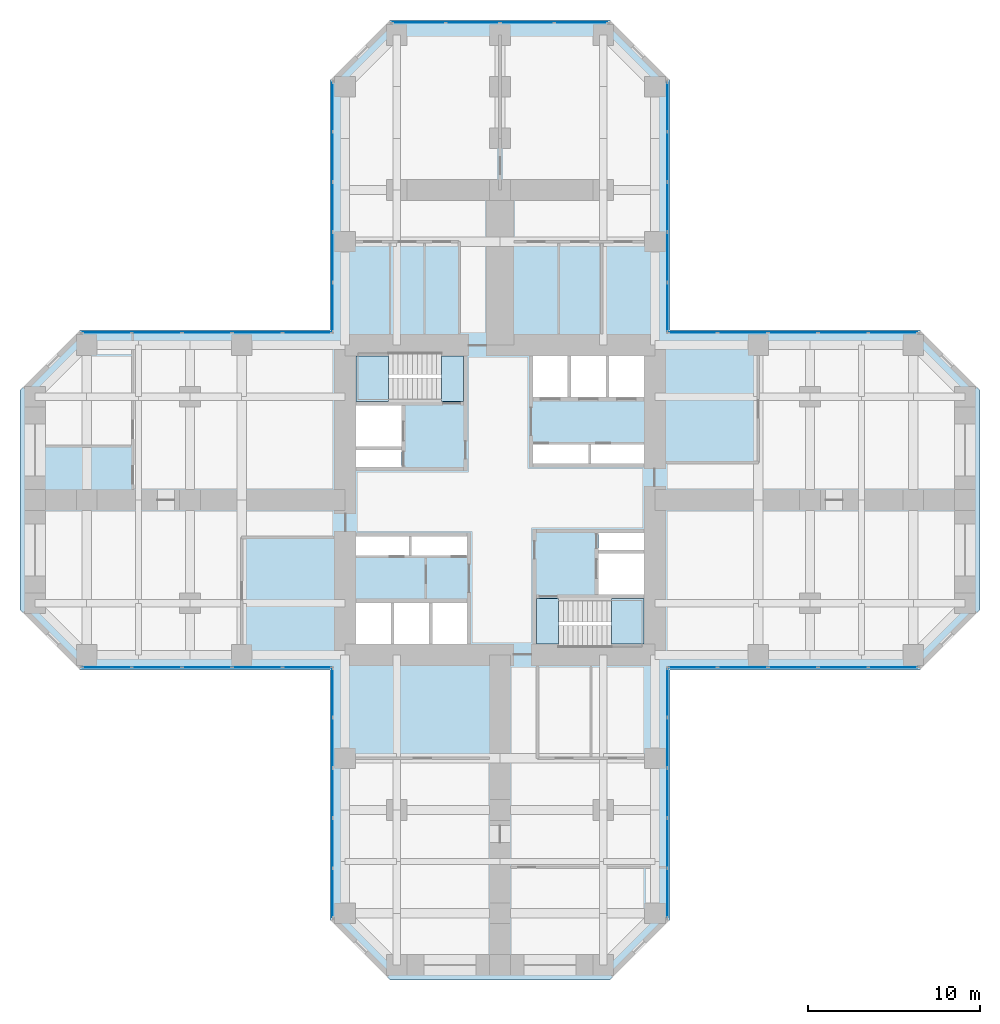
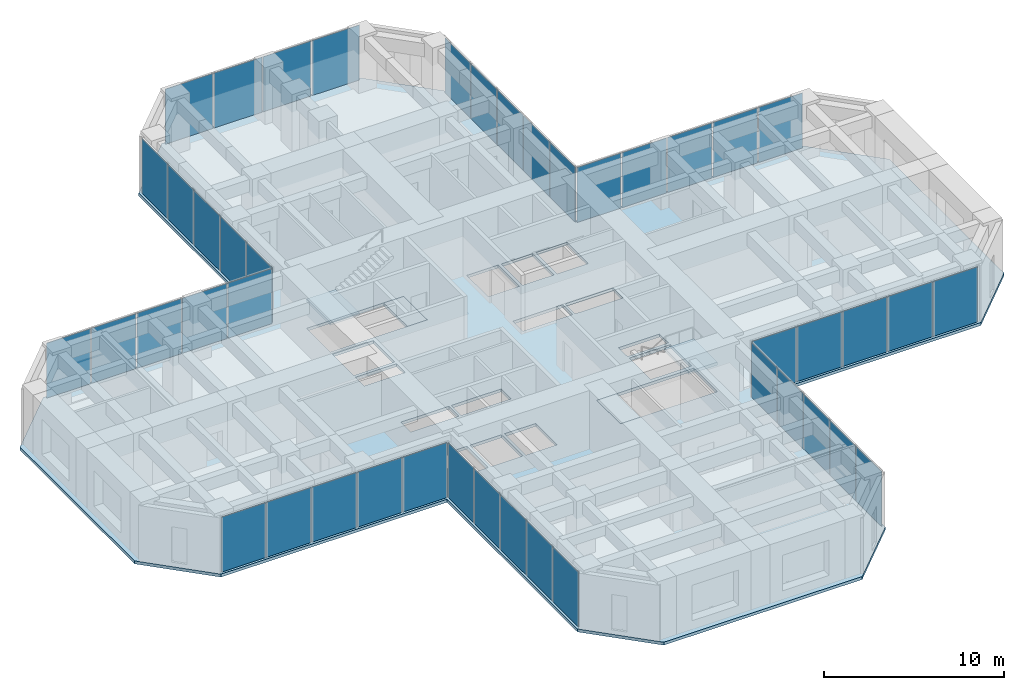
# One storey, part 7 of 12: 44 plates, 5 slabs, 11 elements without a shape of their own.
"""IFC4 building model written with IfcOpenShell, lengths in metres."""

from ifc_helpers import new_model, si_unit, direction, frame, origin, origin_2d, place, context, subcontext, project, spatial, polyline, rectangle, outline, extrude, material, layer, layer_set, type_object, element, aggregate, save


model = new_model("IFC4")

# Units and contexts
model_context = context("Model", 3, precision=1e-05, world=origin(), true_north=direction((0.0, 1.0)))
body_context = subcontext(model_context, "Body", "Model", "MODEL_VIEW")
ifc_project = project(units=[si_unit("LENGTHUNIT", "METRE"), si_unit("AREAUNIT", "SQUARE_METRE"), si_unit("VOLUMEUNIT", "CUBIC_METRE"), si_unit("PLANEANGLEUNIT", "RADIAN"), si_unit("MASSUNIT", "GRAM", prefix="KILO")], contexts=[model_context])

# Site, building, storey
site_placement = place(None, origin())
site = spatial("IfcSite", under=ifc_project, at=site_placement, CompositionType="ELEMENT")
building_placement = place(site_placement, origin())
building = spatial("IfcBuilding", under=site, at=building_placement, Name="Torre Cruceta", CompositionType="ELEMENT")
storey_placement = place(building_placement, frame((0.0, 0.0, 71.5)))
storey = spatial("IfcBuildingStorey", under=building, at=storey_placement, Name="L17", CompositionType="ELEMENT", Elevation=71.5)

# Curtain wall, plate
ifc_material_1 = material(Name="Aluminium unitised curtain wall", Category="aluminium")
curtain_wall_type = type_object("IfcCurtainWallType", Name="CURTAIN WALL CW-A OFFICE LOW RISE", PredefinedType="USERDEFINED", material=ifc_material_1)
curtain_wall_1_placement = place(storey_placement, origin())
curtain_wall_1 = element("IfcCurtainWall", 1, at=curtain_wall_1_placement, inside=storey, type_object=curtain_wall_type, Name="CW-A L17 E side 00", ObjectType="UNITISED", PredefinedType="USERDEFINED")
ifc_material_2 = material(Name="Laminated insulating glass unit, low-iron clear", Category="glass")
ifc_material_3 = material(Name="Laminated insulating glass unit, diagonal frit 50 %", Category="glass")
ifc_layer_1 = layer(ifc_material_3, 0.033935546875)
ifc_layer_set_1 = layer_set([ifc_layer_1], Name="Laminated insulating glass unit, diagonal frit 50 %")
plate_type_1 = type_object("IfcPlateType", Name="CW-A OPERABLE VENT PANEL 34", PredefinedType="CURTAIN_PANEL", material=ifc_layer_set_1)
plate_1_placement = place(storey_placement, frame((17.009033203125, -9.719970703125, 0.010009765625), z_axis=(0.0, 0.0, 1.0), x_axis=(1.0, 0.0, 0.0)))
plate_1 = element("IfcPlate", 2, at=plate_1_placement, type_object=plate_type_1, material=ifc_material_2, Name="CW-A vent 3", PredefinedType="CURTAIN_PANEL", context=body_context, shape_type="SweptSolid", body=[
    extrude(rectangle(XDim=2.8505859375, YDim=0.033935546875, at=origin_2d()), origin(), (0.0, 0.0, 1.0), 3.72509765625),
])

curtain_wall_2_placement = place(storey_placement, origin())
curtain_wall_2 = element("IfcCurtainWall", 3, at=curtain_wall_2_placement, inside=storey, type_object=curtain_wall_type, Name="CW-A L17 E side 04", ObjectType="UNITISED", PredefinedType="USERDEFINED")
plate_2_placement = place(storey_placement, frame((17.009033203125, 9.719970703125, 0.010009765625), z_axis=(0.0, 0.0, 1.0), x_axis=(-1.0, 0.0, 0.0)))
plate_2 = element("IfcPlate", 4, at=plate_2_placement, type_object=plate_type_1, material=ifc_material_2, Name="CW-A vent 3", PredefinedType="CURTAIN_PANEL", context=body_context, shape_type="SweptSolid", body=[
    extrude(rectangle(XDim=2.8505859375, YDim=0.033935546875, at=origin_2d()), origin(), (0.0, 0.0, 1.0), 3.72509765625),
])

curtain_wall_3_placement = place(storey_placement, origin())
curtain_wall_3 = element("IfcCurtainWall", 5, at=curtain_wall_3_placement, inside=storey, type_object=curtain_wall_type, Name="CW-A L17 N side 05", ObjectType="UNITISED", PredefinedType="USERDEFINED")
plate_3_placement = place(storey_placement, frame((9.719970703125, 17.009033203125, 0.010009765625), z_axis=(0.0, 0.0, 1.0), x_axis=(0.0, 1.0, 0.0)))
plate_3 = element("IfcPlate", 6, at=plate_3_placement, type_object=plate_type_1, material=ifc_material_2, Name="CW-A vent 3", PredefinedType="CURTAIN_PANEL", context=body_context, shape_type="SweptSolid", body=[
    extrude(rectangle(XDim=2.8505859375, YDim=0.033935546875, at=origin_2d()), origin(), (0.0, 0.0, 1.0), 3.72509765625),
])

curtain_wall_4_placement = place(storey_placement, origin())
curtain_wall_4 = element("IfcCurtainWall", 7, at=curtain_wall_4_placement, inside=storey, type_object=curtain_wall_type, Name="CW-A L17 N tip 07", ObjectType="UNITISED", PredefinedType="USERDEFINED")
plate_4_placement = place(storey_placement, frame((-1.574462890625, 27.719970703125, 0.010009765625), z_axis=(0.0, 0.0, 1.0), x_axis=(-1.0, 0.0, 0.0)))
plate_4 = element("IfcPlate", 8, at=plate_4_placement, type_object=plate_type_1, material=ifc_material_2, Name="CW-A vent 3", PredefinedType="CURTAIN_PANEL", context=body_context, shape_type="SweptSolid", body=[
    extrude(rectangle(XDim=3.084228515625, YDim=0.033935546875, at=origin_2d()), origin(), (0.0, 0.0, 1.0), 3.72509765625),
])

curtain_wall_5_placement = place(storey_placement, origin())
curtain_wall_5 = element("IfcCurtainWall", 9, at=curtain_wall_5_placement, inside=storey, type_object=curtain_wall_type, Name="CW-A L17 N side 09", ObjectType="UNITISED", PredefinedType="USERDEFINED")
plate_5_placement = place(storey_placement, frame((-9.719970703125, 17.009033203125, 0.010009765625), z_axis=(0.0, 0.0, 1.0), x_axis=(0.0, -1.0, 0.0)))
plate_5 = element("IfcPlate", 10, at=plate_5_placement, type_object=plate_type_1, material=ifc_material_2, Name="CW-A vent 3", PredefinedType="CURTAIN_PANEL", context=body_context, shape_type="SweptSolid", body=[
    extrude(rectangle(XDim=2.8505859375, YDim=0.033935546875, at=origin_2d()), origin(), (0.0, 0.0, 1.0), 3.72509765625),
])

curtain_wall_6_placement = place(storey_placement, origin())
curtain_wall_6 = element("IfcCurtainWall", 11, at=curtain_wall_6_placement, inside=storey, type_object=curtain_wall_type, Name="CW-A L17 W side 10", ObjectType="UNITISED", PredefinedType="USERDEFINED")
plate_6_placement = place(storey_placement, frame((-17.009033203125, 9.719970703125, 0.010009765625), z_axis=(0.0, 0.0, 1.0), x_axis=(-1.0, 0.0, 0.0)))
plate_6 = element("IfcPlate", 12, at=plate_6_placement, type_object=plate_type_1, material=ifc_material_2, Name="CW-A vent 3", PredefinedType="CURTAIN_PANEL", context=body_context, shape_type="SweptSolid", body=[
    extrude(rectangle(XDim=2.8505859375, YDim=0.033935546875, at=origin_2d()), origin(), (0.0, 0.0, 1.0), 3.72509765625),
])

curtain_wall_7_placement = place(storey_placement, origin())
curtain_wall_7 = element("IfcCurtainWall", 13, at=curtain_wall_7_placement, inside=storey, type_object=curtain_wall_type, Name="CW-A L17 W side 14", ObjectType="UNITISED", PredefinedType="USERDEFINED")
plate_7_placement = place(storey_placement, frame((-17.009033203125, -9.719970703125, 0.010009765625), z_axis=(0.0, 0.0, 1.0), x_axis=(1.0, 0.0, 0.0)))
plate_7 = element("IfcPlate", 14, at=plate_7_placement, type_object=plate_type_1, material=ifc_material_2, Name="CW-A vent 3", PredefinedType="CURTAIN_PANEL", context=body_context, shape_type="SweptSolid", body=[
    extrude(rectangle(XDim=2.8505859375, YDim=0.033935546875, at=origin_2d()), origin(), (0.0, 0.0, 1.0), 3.72509765625),
])

curtain_wall_8_placement = place(storey_placement, origin())
curtain_wall_8 = element("IfcCurtainWall", 15, at=curtain_wall_8_placement, inside=storey, type_object=curtain_wall_type, Name="CW-A L17 S side 15", ObjectType="UNITISED", PredefinedType="USERDEFINED")
plate_8_placement = place(storey_placement, frame((-9.719970703125, -17.009033203125, 0.010009765625), z_axis=(0.0, 0.0, 1.0), x_axis=(0.0, -1.0, 0.0)))
plate_8 = element("IfcPlate", 16, at=plate_8_placement, type_object=plate_type_1, material=ifc_material_2, Name="CW-A vent 3", PredefinedType="CURTAIN_PANEL", context=body_context, shape_type="SweptSolid", body=[
    extrude(rectangle(XDim=2.8505859375, YDim=0.033935546875, at=origin_2d()), origin(), (0.0, 0.0, 1.0), 3.72509765625),
])

curtain_wall_9_placement = place(storey_placement, origin())
curtain_wall_9 = element("IfcCurtainWall", 17, at=curtain_wall_9_placement, inside=storey, type_object=curtain_wall_type, Name="CW-A L17 S side 19", ObjectType="UNITISED", PredefinedType="USERDEFINED")
plate_9_placement = place(storey_placement, frame((9.719970703125, -17.009033203125, 0.010009765625), z_axis=(0.0, 0.0, 1.0), x_axis=(0.0, 1.0, 0.0)))
plate_9 = element("IfcPlate", 18, at=plate_9_placement, type_object=plate_type_1, material=ifc_material_2, Name="CW-A vent 3", PredefinedType="CURTAIN_PANEL", context=body_context, shape_type="SweptSolid", body=[
    extrude(rectangle(XDim=2.8505859375, YDim=0.033935546875, at=origin_2d()), origin(), (0.0, 0.0, 1.0), 3.72509765625),
])

# Plate
ifc_material_4 = material(Name="Laminated insulating glass unit, diagonal frit 50 %", Category="glass")
ifc_material_5 = material(Name="Laminated insulating glass unit, diagonal frit 50 %", Category="glass")
ifc_layer_2 = layer(ifc_material_5, 0.033935546875)
ifc_layer_set_2 = layer_set([ifc_layer_2], Name="Laminated insulating glass unit, diagonal frit 50 %")
plate_type_2 = type_object("IfcPlateType", Name="CW-A PANEL 34", PredefinedType="CURTAIN_PANEL", material=ifc_layer_set_2)
plate_10_placement = place(storey_placement, frame((11.194091796875, -9.719970703125, 0.010009765625), z_axis=(0.0, 0.0, 1.0), x_axis=(1.0, 0.0, 0.0)))
plate_10 = element("IfcPlate", 19, at=plate_10_placement, type_object=plate_type_2, material=ifc_material_4, Name="CW-A panel 1", PredefinedType="CURTAIN_PANEL", context=body_context, shape_type="SweptSolid", body=[
    extrude(rectangle(XDim=2.818115234375, YDim=0.033935546875, at=origin_2d()), origin(), (0.0, 0.0, 1.0), 3.72509765625),
])

plate_11_placement = place(storey_placement, frame((14.093505859375, -9.719970703125, 0.010009765625), z_axis=(0.0, 0.0, 1.0), x_axis=(1.0, 0.0, 0.0)))
plate_11 = element("IfcPlate", 20, at=plate_11_placement, type_object=plate_type_2, material=ifc_material_2, Name="CW-A panel 2", PredefinedType="CURTAIN_PANEL", context=body_context, shape_type="SweptSolid", body=[
    extrude(rectangle(XDim=2.8505859375, YDim=0.033935546875, at=origin_2d()), origin(), (0.0, 0.0, 1.0), 3.72509765625),
])

plate_12_placement = place(storey_placement, frame((19.9248046875, -9.719970703125, 0.010009765625), z_axis=(0.0, 0.0, 1.0), x_axis=(1.0, 0.0, 0.0)))
plate_12 = element("IfcPlate", 21, at=plate_12_placement, type_object=plate_type_2, material=ifc_material_4, Name="CW-A panel 4", PredefinedType="CURTAIN_PANEL", context=body_context, shape_type="SweptSolid", body=[
    extrude(rectangle(XDim=2.8505859375, YDim=0.033935546875, at=origin_2d()), origin(), (0.0, 0.0, 1.0), 3.72509765625),
])

plate_13_placement = place(storey_placement, frame((22.82421875, -9.719970703125, 0.010009765625), z_axis=(0.0, 0.0, 1.0), x_axis=(1.0, 0.0, 0.0)))
plate_13 = element("IfcPlate", 22, at=plate_13_placement, type_object=plate_type_2, material=ifc_material_4, Name="CW-A panel 5", PredefinedType="CURTAIN_PANEL", context=body_context, shape_type="SweptSolid", body=[
    extrude(rectangle(XDim=2.818115234375, YDim=0.033935546875, at=origin_2d()), origin(), (0.0, 0.0, 1.0), 3.72509765625),
])

aggregate(curtain_wall_1, [plate_10, plate_11, plate_1, plate_12, plate_13])

plate_14_placement = place(storey_placement, frame((22.82421875, 9.719970703125, 0.010009765625), z_axis=(0.0, 0.0, 1.0), x_axis=(-1.0, 0.0, 0.0)))
plate_14 = element("IfcPlate", 23, at=plate_14_placement, type_object=plate_type_2, material=ifc_material_4, Name="CW-A panel 1", PredefinedType="CURTAIN_PANEL", context=body_context, shape_type="SweptSolid", body=[
    extrude(rectangle(XDim=2.818115234375, YDim=0.033935546875, at=origin_2d()), origin(), (0.0, 0.0, 1.0), 3.72509765625),
])

plate_15_placement = place(storey_placement, frame((19.9248046875, 9.719970703125, 0.010009765625), z_axis=(0.0, 0.0, 1.0), x_axis=(-1.0, 0.0, 0.0)))
plate_15 = element("IfcPlate", 24, at=plate_15_placement, type_object=plate_type_2, material=ifc_material_2, Name="CW-A panel 2", PredefinedType="CURTAIN_PANEL", context=body_context, shape_type="SweptSolid", body=[
    extrude(rectangle(XDim=2.8505859375, YDim=0.033935546875, at=origin_2d()), origin(), (0.0, 0.0, 1.0), 3.72509765625),
])

plate_16_placement = place(storey_placement, frame((14.093505859375, 9.719970703125, 0.010009765625), z_axis=(0.0, 0.0, 1.0), x_axis=(-1.0, 0.0, 0.0)))
plate_16 = element("IfcPlate", 25, at=plate_16_placement, type_object=plate_type_2, material=ifc_material_4, Name="CW-A panel 4", PredefinedType="CURTAIN_PANEL", context=body_context, shape_type="SweptSolid", body=[
    extrude(rectangle(XDim=2.8505859375, YDim=0.033935546875, at=origin_2d()), origin(), (0.0, 0.0, 1.0), 3.72509765625),
])

plate_17_placement = place(storey_placement, frame((11.194091796875, 9.719970703125, 0.010009765625), z_axis=(0.0, 0.0, 1.0), x_axis=(-1.0, 0.0, 0.0)))
plate_17 = element("IfcPlate", 26, at=plate_17_placement, type_object=plate_type_2, material=ifc_material_4, Name="CW-A panel 5", PredefinedType="CURTAIN_PANEL", context=body_context, shape_type="SweptSolid", body=[
    extrude(rectangle(XDim=2.818115234375, YDim=0.033935546875, at=origin_2d()), origin(), (0.0, 0.0, 1.0), 3.72509765625),
])

aggregate(curtain_wall_2, [plate_14, plate_15, plate_2, plate_16, plate_17])

plate_18_placement = place(storey_placement, frame((9.719970703125, 11.194091796875, 0.010009765625), z_axis=(0.0, 0.0, 1.0), x_axis=(0.0, 1.0, 0.0)))
plate_18 = element("IfcPlate", 27, at=plate_18_placement, type_object=plate_type_2, material=ifc_material_4, Name="CW-A panel 1", PredefinedType="CURTAIN_PANEL", context=body_context, shape_type="SweptSolid", body=[
    extrude(rectangle(XDim=2.818115234375, YDim=0.033935546875, at=origin_2d()), origin(), (0.0, 0.0, 1.0), 3.72509765625),
])

plate_19_placement = place(storey_placement, frame((9.719970703125, 14.093505859375, 0.010009765625), z_axis=(0.0, 0.0, 1.0), x_axis=(0.0, 1.0, 0.0)))
plate_19 = element("IfcPlate", 28, at=plate_19_placement, type_object=plate_type_2, material=ifc_material_2, Name="CW-A panel 2", PredefinedType="CURTAIN_PANEL", context=body_context, shape_type="SweptSolid", body=[
    extrude(rectangle(XDim=2.8505859375, YDim=0.033935546875, at=origin_2d()), origin(), (0.0, 0.0, 1.0), 3.72509765625),
])

plate_20_placement = place(storey_placement, frame((9.719970703125, 19.9248046875, 0.010009765625), z_axis=(0.0, 0.0, 1.0), x_axis=(0.0, 1.0, 0.0)))
plate_20 = element("IfcPlate", 29, at=plate_20_placement, type_object=plate_type_2, material=ifc_material_4, Name="CW-A panel 4", PredefinedType="CURTAIN_PANEL", context=body_context, shape_type="SweptSolid", body=[
    extrude(rectangle(XDim=2.8505859375, YDim=0.033935546875, at=origin_2d()), origin(), (0.0, 0.0, 1.0), 3.72509765625),
])

plate_21_placement = place(storey_placement, frame((9.719970703125, 22.82421875, 0.010009765625), z_axis=(0.0, 0.0, 1.0), x_axis=(0.0, 1.0, 0.0)))
plate_21 = element("IfcPlate", 30, at=plate_21_placement, type_object=plate_type_2, material=ifc_material_4, Name="CW-A panel 5", PredefinedType="CURTAIN_PANEL", context=body_context, shape_type="SweptSolid", body=[
    extrude(rectangle(XDim=2.818115234375, YDim=0.033935546875, at=origin_2d()), origin(), (0.0, 0.0, 1.0), 3.72509765625),
])

aggregate(curtain_wall_3, [plate_18, plate_19, plate_3, plate_20, plate_21])

plate_22_placement = place(storey_placement, frame((4.70751953125, 27.719970703125, 0.010009765625), z_axis=(0.0, 0.0, 1.0), x_axis=(-1.0, 0.0, 0.0)))
plate_22 = element("IfcPlate", 31, at=plate_22_placement, type_object=plate_type_2, material=ifc_material_4, Name="CW-A panel 1", PredefinedType="CURTAIN_PANEL", context=body_context, shape_type="SweptSolid", body=[
    extrude(rectangle(XDim=3.051513671875, YDim=0.033935546875, at=origin_2d()), origin(), (0.0, 0.0, 1.0), 3.72509765625),
])

plate_23_placement = place(storey_placement, frame((1.574462890625, 27.719970703125, 0.010009765625), z_axis=(0.0, 0.0, 1.0), x_axis=(-1.0, 0.0, 0.0)))
plate_23 = element("IfcPlate", 32, at=plate_23_placement, type_object=plate_type_2, material=ifc_material_2, Name="CW-A panel 2", PredefinedType="CURTAIN_PANEL", context=body_context, shape_type="SweptSolid", body=[
    extrude(rectangle(XDim=3.084228515625, YDim=0.033935546875, at=origin_2d()), origin(), (0.0, 0.0, 1.0), 3.72509765625),
])

plate_24_placement = place(storey_placement, frame((-4.70751953125, 27.719970703125, 0.010009765625), z_axis=(0.0, 0.0, 1.0), x_axis=(-1.0, 0.0, 0.0)))
plate_24 = element("IfcPlate", 33, at=plate_24_placement, type_object=plate_type_2, material=ifc_material_4, Name="CW-A panel 4", PredefinedType="CURTAIN_PANEL", context=body_context, shape_type="SweptSolid", body=[
    extrude(rectangle(XDim=3.051513671875, YDim=0.033935546875, at=origin_2d()), origin(), (0.0, 0.0, 1.0), 3.72509765625),
])

aggregate(curtain_wall_4, [plate_22, plate_23, plate_4, plate_24])

plate_25_placement = place(storey_placement, frame((-9.719970703125, 22.82421875, 0.010009765625), z_axis=(0.0, 0.0, 1.0), x_axis=(0.0, -1.0, 0.0)))
plate_25 = element("IfcPlate", 34, at=plate_25_placement, type_object=plate_type_2, material=ifc_material_4, Name="CW-A panel 1", PredefinedType="CURTAIN_PANEL", context=body_context, shape_type="SweptSolid", body=[
    extrude(rectangle(XDim=2.818115234375, YDim=0.033935546875, at=origin_2d()), origin(), (0.0, 0.0, 1.0), 3.72509765625),
])

plate_26_placement = place(storey_placement, frame((-9.719970703125, 19.9248046875, 0.010009765625), z_axis=(0.0, 0.0, 1.0), x_axis=(0.0, -1.0, 0.0)))
plate_26 = element("IfcPlate", 35, at=plate_26_placement, type_object=plate_type_2, material=ifc_material_2, Name="CW-A panel 2", PredefinedType="CURTAIN_PANEL", context=body_context, shape_type="SweptSolid", body=[
    extrude(rectangle(XDim=2.8505859375, YDim=0.033935546875, at=origin_2d()), origin(), (0.0, 0.0, 1.0), 3.72509765625),
])

plate_27_placement = place(storey_placement, frame((-9.719970703125, 14.093505859375, 0.010009765625), z_axis=(0.0, 0.0, 1.0), x_axis=(0.0, -1.0, 0.0)))
plate_27 = element("IfcPlate", 36, at=plate_27_placement, type_object=plate_type_2, material=ifc_material_4, Name="CW-A panel 4", PredefinedType="CURTAIN_PANEL", context=body_context, shape_type="SweptSolid", body=[
    extrude(rectangle(XDim=2.8505859375, YDim=0.033935546875, at=origin_2d()), origin(), (0.0, 0.0, 1.0), 3.72509765625),
])

plate_28_placement = place(storey_placement, frame((-9.719970703125, 11.194091796875, 0.010009765625), z_axis=(0.0, 0.0, 1.0), x_axis=(0.0, -1.0, 0.0)))
plate_28 = element("IfcPlate", 37, at=plate_28_placement, type_object=plate_type_2, material=ifc_material_4, Name="CW-A panel 5", PredefinedType="CURTAIN_PANEL", context=body_context, shape_type="SweptSolid", body=[
    extrude(rectangle(XDim=2.818115234375, YDim=0.033935546875, at=origin_2d()), origin(), (0.0, 0.0, 1.0), 3.72509765625),
])

aggregate(curtain_wall_5, [plate_25, plate_26, plate_5, plate_27, plate_28])

plate_29_placement = place(storey_placement, frame((-11.194091796875, 9.719970703125, 0.010009765625), z_axis=(0.0, 0.0, 1.0), x_axis=(-1.0, 0.0, 0.0)))
plate_29 = element("IfcPlate", 38, at=plate_29_placement, type_object=plate_type_2, material=ifc_material_4, Name="CW-A panel 1", PredefinedType="CURTAIN_PANEL", context=body_context, shape_type="SweptSolid", body=[
    extrude(rectangle(XDim=2.818115234375, YDim=0.033935546875, at=origin_2d()), origin(), (0.0, 0.0, 1.0), 3.72509765625),
])

plate_30_placement = place(storey_placement, frame((-14.093505859375, 9.719970703125, 0.010009765625), z_axis=(0.0, 0.0, 1.0), x_axis=(-1.0, 0.0, 0.0)))
plate_30 = element("IfcPlate", 39, at=plate_30_placement, type_object=plate_type_2, material=ifc_material_2, Name="CW-A panel 2", PredefinedType="CURTAIN_PANEL", context=body_context, shape_type="SweptSolid", body=[
    extrude(rectangle(XDim=2.8505859375, YDim=0.033935546875, at=origin_2d()), origin(), (0.0, 0.0, 1.0), 3.72509765625),
])

plate_31_placement = place(storey_placement, frame((-19.9248046875, 9.719970703125, 0.010009765625), z_axis=(0.0, 0.0, 1.0), x_axis=(-1.0, 0.0, 0.0)))
plate_31 = element("IfcPlate", 40, at=plate_31_placement, type_object=plate_type_2, material=ifc_material_4, Name="CW-A panel 4", PredefinedType="CURTAIN_PANEL", context=body_context, shape_type="SweptSolid", body=[
    extrude(rectangle(XDim=2.8505859375, YDim=0.033935546875, at=origin_2d()), origin(), (0.0, 0.0, 1.0), 3.72509765625),
])

plate_32_placement = place(storey_placement, frame((-22.82421875, 9.719970703125, 0.010009765625), z_axis=(0.0, 0.0, 1.0), x_axis=(-1.0, 0.0, 0.0)))
plate_32 = element("IfcPlate", 41, at=plate_32_placement, type_object=plate_type_2, material=ifc_material_4, Name="CW-A panel 5", PredefinedType="CURTAIN_PANEL", context=body_context, shape_type="SweptSolid", body=[
    extrude(rectangle(XDim=2.818115234375, YDim=0.033935546875, at=origin_2d()), origin(), (0.0, 0.0, 1.0), 3.72509765625),
])

aggregate(curtain_wall_6, [plate_29, plate_30, plate_6, plate_31, plate_32])

plate_33_placement = place(storey_placement, frame((-22.82421875, -9.719970703125, 0.010009765625), z_axis=(0.0, 0.0, 1.0), x_axis=(1.0, 0.0, 0.0)))
plate_33 = element("IfcPlate", 42, at=plate_33_placement, type_object=plate_type_2, material=ifc_material_4, Name="CW-A panel 1", PredefinedType="CURTAIN_PANEL", context=body_context, shape_type="SweptSolid", body=[
    extrude(rectangle(XDim=2.818115234375, YDim=0.033935546875, at=origin_2d()), origin(), (0.0, 0.0, 1.0), 3.72509765625),
])

plate_34_placement = place(storey_placement, frame((-19.9248046875, -9.719970703125, 0.010009765625), z_axis=(0.0, 0.0, 1.0), x_axis=(1.0, 0.0, 0.0)))
plate_34 = element("IfcPlate", 43, at=plate_34_placement, type_object=plate_type_2, material=ifc_material_2, Name="CW-A panel 2", PredefinedType="CURTAIN_PANEL", context=body_context, shape_type="SweptSolid", body=[
    extrude(rectangle(XDim=2.8505859375, YDim=0.033935546875, at=origin_2d()), origin(), (0.0, 0.0, 1.0), 3.72509765625),
])

plate_35_placement = place(storey_placement, frame((-14.093505859375, -9.719970703125, 0.010009765625), z_axis=(0.0, 0.0, 1.0), x_axis=(1.0, 0.0, 0.0)))
plate_35 = element("IfcPlate", 44, at=plate_35_placement, type_object=plate_type_2, material=ifc_material_4, Name="CW-A panel 4", PredefinedType="CURTAIN_PANEL", context=body_context, shape_type="SweptSolid", body=[
    extrude(rectangle(XDim=2.8505859375, YDim=0.033935546875, at=origin_2d()), origin(), (0.0, 0.0, 1.0), 3.72509765625),
])

plate_36_placement = place(storey_placement, frame((-11.194091796875, -9.719970703125, 0.010009765625), z_axis=(0.0, 0.0, 1.0), x_axis=(1.0, 0.0, 0.0)))
plate_36 = element("IfcPlate", 45, at=plate_36_placement, type_object=plate_type_2, material=ifc_material_4, Name="CW-A panel 5", PredefinedType="CURTAIN_PANEL", context=body_context, shape_type="SweptSolid", body=[
    extrude(rectangle(XDim=2.818115234375, YDim=0.033935546875, at=origin_2d()), origin(), (0.0, 0.0, 1.0), 3.72509765625),
])

aggregate(curtain_wall_7, [plate_33, plate_34, plate_7, plate_35, plate_36])

plate_37_placement = place(storey_placement, frame((-9.719970703125, -11.194091796875, 0.010009765625), z_axis=(0.0, 0.0, 1.0), x_axis=(0.0, -1.0, 0.0)))
plate_37 = element("IfcPlate", 46, at=plate_37_placement, type_object=plate_type_2, material=ifc_material_4, Name="CW-A panel 1", PredefinedType="CURTAIN_PANEL", context=body_context, shape_type="SweptSolid", body=[
    extrude(rectangle(XDim=2.818115234375, YDim=0.033935546875, at=origin_2d()), origin(), (0.0, 0.0, 1.0), 3.72509765625),
])

plate_38_placement = place(storey_placement, frame((-9.719970703125, -14.093505859375, 0.010009765625), z_axis=(0.0, 0.0, 1.0), x_axis=(0.0, -1.0, 0.0)))
plate_38 = element("IfcPlate", 47, at=plate_38_placement, type_object=plate_type_2, material=ifc_material_2, Name="CW-A panel 2", PredefinedType="CURTAIN_PANEL", context=body_context, shape_type="SweptSolid", body=[
    extrude(rectangle(XDim=2.8505859375, YDim=0.033935546875, at=origin_2d()), origin(), (0.0, 0.0, 1.0), 3.72509765625),
])

plate_39_placement = place(storey_placement, frame((-9.719970703125, -19.9248046875, 0.010009765625), z_axis=(0.0, 0.0, 1.0), x_axis=(0.0, -1.0, 0.0)))
plate_39 = element("IfcPlate", 48, at=plate_39_placement, type_object=plate_type_2, material=ifc_material_4, Name="CW-A panel 4", PredefinedType="CURTAIN_PANEL", context=body_context, shape_type="SweptSolid", body=[
    extrude(rectangle(XDim=2.8505859375, YDim=0.033935546875, at=origin_2d()), origin(), (0.0, 0.0, 1.0), 3.72509765625),
])

plate_40_placement = place(storey_placement, frame((-9.719970703125, -22.82421875, 0.010009765625), z_axis=(0.0, 0.0, 1.0), x_axis=(0.0, -1.0, 0.0)))
plate_40 = element("IfcPlate", 49, at=plate_40_placement, type_object=plate_type_2, material=ifc_material_4, Name="CW-A panel 5", PredefinedType="CURTAIN_PANEL", context=body_context, shape_type="SweptSolid", body=[
    extrude(rectangle(XDim=2.818115234375, YDim=0.033935546875, at=origin_2d()), origin(), (0.0, 0.0, 1.0), 3.72509765625),
])

aggregate(curtain_wall_8, [plate_37, plate_38, plate_8, plate_39, plate_40])

plate_41_placement = place(storey_placement, frame((9.719970703125, -22.82421875, 0.010009765625), z_axis=(0.0, 0.0, 1.0), x_axis=(0.0, 1.0, 0.0)))
plate_41 = element("IfcPlate", 50, at=plate_41_placement, type_object=plate_type_2, material=ifc_material_4, Name="CW-A panel 1", PredefinedType="CURTAIN_PANEL", context=body_context, shape_type="SweptSolid", body=[
    extrude(rectangle(XDim=2.818115234375, YDim=0.033935546875, at=origin_2d()), origin(), (0.0, 0.0, 1.0), 3.72509765625),
])

plate_42_placement = place(storey_placement, frame((9.719970703125, -19.9248046875, 0.010009765625), z_axis=(0.0, 0.0, 1.0), x_axis=(0.0, 1.0, 0.0)))
plate_42 = element("IfcPlate", 51, at=plate_42_placement, type_object=plate_type_2, material=ifc_material_2, Name="CW-A panel 2", PredefinedType="CURTAIN_PANEL", context=body_context, shape_type="SweptSolid", body=[
    extrude(rectangle(XDim=2.8505859375, YDim=0.033935546875, at=origin_2d()), origin(), (0.0, 0.0, 1.0), 3.72509765625),
])

plate_43_placement = place(storey_placement, frame((9.719970703125, -14.093505859375, 0.010009765625), z_axis=(0.0, 0.0, 1.0), x_axis=(0.0, 1.0, 0.0)))
plate_43 = element("IfcPlate", 52, at=plate_43_placement, type_object=plate_type_2, material=ifc_material_4, Name="CW-A panel 4", PredefinedType="CURTAIN_PANEL", context=body_context, shape_type="SweptSolid", body=[
    extrude(rectangle(XDim=2.8505859375, YDim=0.033935546875, at=origin_2d()), origin(), (0.0, 0.0, 1.0), 3.72509765625),
])

plate_44_placement = place(storey_placement, frame((9.719970703125, -11.194091796875, 0.010009765625), z_axis=(0.0, 0.0, 1.0), x_axis=(0.0, 1.0, 0.0)))
plate_44 = element("IfcPlate", 53, at=plate_44_placement, type_object=plate_type_2, material=ifc_material_4, Name="CW-A panel 5", PredefinedType="CURTAIN_PANEL", context=body_context, shape_type="SweptSolid", body=[
    extrude(rectangle(XDim=2.818115234375, YDim=0.033935546875, at=origin_2d()), origin(), (0.0, 0.0, 1.0), 3.72509765625),
])

aggregate(curtain_wall_9, [plate_41, plate_42, plate_9, plate_43, plate_44])

# Slab
ifc_material_6 = material(Name="Concrete G35 (fck 35 MPa)", Category="concrete")
ifc_layer_3 = layer(ifc_material_6, 0.199951171875)
ifc_layer_set_3 = layer_set([ifc_layer_3], Name="Concrete G35 (fck 35 MPa)")
slab_type_1 = type_object("IfcSlabType", Name="FLOOR SLAB 200", PredefinedType="FLOOR", material=ifc_layer_set_3)
slab_1_placement = place(storey_placement, frame((0.0, 0.0, -0.199951171875)))
element("IfcSlab", 54, at=slab_1_placement, inside=storey, type_object=slab_type_1, Name="Floor Slab L17", PredefinedType="FLOOR", context=body_context, shape_type="SweptSolid", body=[
    extrude(outline(polyline([(9.8701171875, -9.8701171875), (9.8701171875, -24.3603515625), (6.3603515625, -27.8701171875), (-6.3603515625, -27.8701171875), (-9.8701171875, -24.3603515625), (-9.8701171875, -9.8701171875), (-24.3603515625, -9.8701171875), (-27.8701171875, -6.3603515625), (-27.8701171875, 6.3603515625), (-24.3603515625, 9.8701171875), (-9.8701171875, 9.8701171875), (-9.8701171875, 24.3603515625), (-6.3603515625, 27.8701171875), (6.3603515625, 27.8701171875), (9.8701171875, 24.3603515625), (9.8701171875, 9.8701171875), (24.3603515625, 9.8701171875), (27.8701171875, 6.3603515625), (27.8701171875, -6.3603515625), (24.3603515625, -9.8701171875), (9.8701171875, -9.8701171875)]), holes=[polyline([(1.925048828125, 5.97509765625), (3.933349609375, 5.97509765625), (3.933349609375, 8.35009765625), (1.925048828125, 8.35009765625), (1.925048828125, 5.97509765625)]), polyline([(4.13330078125, 5.97509765625), (6.1416015625, 5.97509765625), (6.1416015625, 8.35009765625), (4.13330078125, 8.35009765625), (4.13330078125, 5.97509765625)]), polyline([(6.341552734375, 5.97509765625), (8.35009765625, 5.97509765625), (8.35009765625, 8.35009765625), (6.341552734375, 8.35009765625), (6.341552734375, 5.97509765625)]), polyline([(1.925048828125, 2.125), (5.125, 2.125), (5.125, 3.22509765625), (1.925048828125, 3.22509765625), (1.925048828125, 2.125)]), polyline([(5.27490234375, 2.125), (8.35009765625, 2.125), (8.35009765625, 3.22509765625), (5.27490234375, 3.22509765625), (5.27490234375, 2.125)]), polyline([(-8.35009765625, 3.10009765625), (-5.72509765625, 3.10009765625), (-5.72509765625, 5.47509765625), (-8.35009765625, 5.47509765625), (-8.35009765625, 3.10009765625)]), polyline([(-8.35009765625, 1.925048828125), (-5.72509765625, 1.925048828125), (-5.72509765625, 2.89990234375), (-8.35009765625, 2.89990234375), (-8.35009765625, 1.925048828125)]), polyline([(-3.933349609375, -8.35009765625), (-1.925048828125, -8.35009765625), (-1.925048828125, -5.97509765625), (-3.933349609375, -5.97509765625), (-3.933349609375, -8.35009765625)]), polyline([(-6.1416015625, -8.35009765625), (-4.13330078125, -8.35009765625), (-4.13330078125, -5.97509765625), (-6.1416015625, -5.97509765625), (-6.1416015625, -8.35009765625)]), polyline([(-8.35009765625, -8.35009765625), (-6.341552734375, -8.35009765625), (-6.341552734375, -5.97509765625), (-8.35009765625, -5.97509765625), (-8.35009765625, -8.35009765625)]), polyline([(-5.125, -3.22509765625), (-1.925048828125, -3.22509765625), (-1.925048828125, -2.125), (-5.125, -2.125), (-5.125, -3.22509765625)]), polyline([(-8.35009765625, -3.22509765625), (-5.27490234375, -3.22509765625), (-5.27490234375, -2.125), (-8.35009765625, -2.125), (-8.35009765625, -3.22509765625)]), polyline([(5.72509765625, -5.47509765625), (8.35009765625, -5.47509765625), (8.35009765625, -3.10009765625), (5.72509765625, -3.10009765625), (5.72509765625, -5.47509765625)]), polyline([(5.72509765625, -2.89990234375), (8.35009765625, -2.89990234375), (8.35009765625, -1.925048828125), (5.72509765625, -1.925048828125), (5.72509765625, -2.89990234375)]), polyline([(-8.35009765625, 5.72509765625), (-8.35009765625, 8.35009765625), (-3.39990234375, 8.35009765625), (-2.125, 8.35009765625), (-2.125, 5.72509765625), (-3.39990234375, 5.72509765625), (-8.35009765625, 5.72509765625)]), polyline([(2.125, -5.72509765625), (3.39990234375, -5.72509765625), (8.35009765625, -5.72509765625), (8.35009765625, -8.35009765625), (3.39990234375, -8.35009765625), (2.125, -8.35009765625), (2.125, -5.72509765625)])]), origin(), (0.0, 0.0, 1.0), 0.199951171875),
])

# Stair, slab
ifc_material_7 = material(Name="Concrete G30 (fck 30 MPa)", Category="concrete")
stair_type = type_object("IfcStairType", Name="STAIR HALF-TURN 1300", PredefinedType="HALF_TURN_STAIR", material=ifc_material_7)
stair_1_placement = place(storey_placement, origin())
stair_1 = element("IfcStair", 55, at=stair_1_placement, inside=storey, type_object=stair_type, Name="Stair ST1 L17", PredefinedType="HALF_TURN_STAIR")
ifc_material_8 = material(Name="Concrete G30 (fck 30 MPa)", Category="concrete")
ifc_layer_4 = layer(ifc_material_8, 0.199951171875)
ifc_layer_set_4 = layer_set([ifc_layer_4], Name="Concrete G30 (fck 30 MPa)")
slab_type_2 = type_object("IfcSlabType", Name="STAIR LANDING 200", PredefinedType="LANDING", material=ifc_layer_set_4)
slab_2_placement = place(storey_placement, frame((0.0, 0.0, 1.800048828125)))
slab_2 = element("IfcSlab", 56, at=slab_2_placement, type_object=slab_type_2, Name="ST1 landing 1", PredefinedType="LANDING", context=body_context, shape_type="SweptSolid", body=[
    extrude(outline(polyline([(-8.35009765625, 5.72509765625), (-6.47998046875, 5.72509765625), (-6.47998046875, 8.35009765625), (-8.35009765625, 8.35009765625), (-8.35009765625, 5.72509765625)])), origin(), (0.0, 0.0, 1.0), 0.199951171875),
])
aggregate(stair_1, [slab_2])

stair_2_placement = place(storey_placement, origin())
stair_2 = element("IfcStair", 57, at=stair_2_placement, inside=storey, type_object=stair_type, Name="Stair ST2 L17", PredefinedType="HALF_TURN_STAIR")
slab_3_placement = place(storey_placement, frame((0.0, 0.0, 1.800048828125)))
slab_3 = element("IfcSlab", 58, at=slab_3_placement, type_object=slab_type_2, Name="ST2 landing 1", PredefinedType="LANDING", context=body_context, shape_type="SweptSolid", body=[
    extrude(outline(polyline([(6.47998046875, -8.35009765625), (8.35009765625, -8.35009765625), (8.35009765625, -5.72509765625), (6.47998046875, -5.72509765625), (6.47998046875, -8.35009765625)])), origin(), (0.0, 0.0, 1.0), 0.199951171875),
])
aggregate(stair_2, [slab_3])

# Slabs
slab_4_placement = place(storey_placement, frame((0.0, 0.0, -0.199951171875)))
element("IfcSlab", 59, at=slab_4_placement, inside=storey, type_object=slab_type_2, Name="Stair ST1 floor landing L17", PredefinedType="LANDING", context=body_context, shape_type="SweptSolid", body=[
    extrude(outline(polyline([(-2.125, 8.35009765625), (-2.125, 5.72509765625), (-3.39990234375, 5.72509765625), (-3.39990234375, 8.35009765625), (-2.125, 8.35009765625)])), origin(), (0.0, 0.0, 1.0), 0.199951171875),
])
slab_5_placement = place(storey_placement, frame((0.0, 0.0, -0.199951171875)))
element("IfcSlab", 60, at=slab_5_placement, inside=storey, type_object=slab_type_2, Name="Stair ST2 floor landing L17", PredefinedType="LANDING", context=body_context, shape_type="SweptSolid", body=[
    extrude(outline(polyline([(2.125, -8.35009765625), (2.125, -5.72509765625), (3.39990234375, -5.72509765625), (3.39990234375, -8.35009765625), (2.125, -8.35009765625)])), origin(), (0.0, 0.0, 1.0), 0.199951171875),
])

save(model, "model.ifc")
